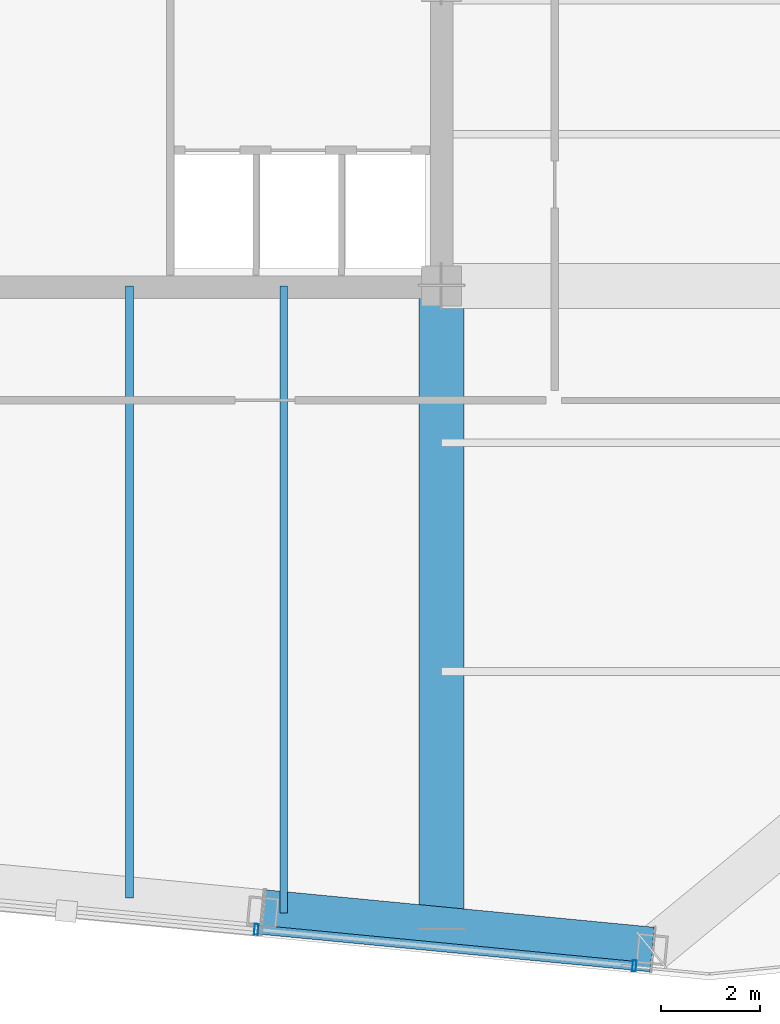
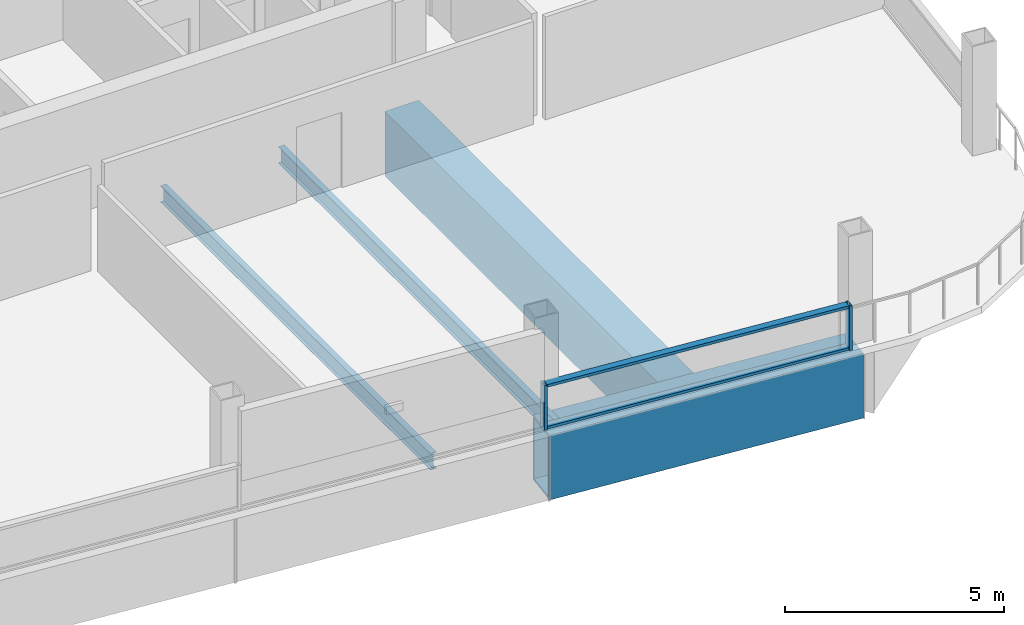
# One storey, part 4 of 21: 4 beams, 4 members, 1 element without a shape of its own.
"""IFC4 building model written with IfcOpenShell, lengths in metres."""

from ifc_helpers import new_model, si_unit, direction, frame, origin, origin_2d, place, context, subcontext, project, spatial, hollow_rectangle, i_section, extrude, material, layer, layer_set, material_profile, profile_set, type_object, element, aggregate, save


model = new_model("IFC4")

# Units and contexts
model_context = context("Model", 3, precision=1e-05, world=origin(), true_north=direction((0.0, 1.0)))
body_context = subcontext(model_context, "Body", "Model", "MODEL_VIEW")
ifc_project = project(units=[si_unit("LENGTHUNIT", "METRE"), si_unit("AREAUNIT", "SQUARE_METRE"), si_unit("VOLUMEUNIT", "CUBIC_METRE"), si_unit("PLANEANGLEUNIT", "RADIAN"), si_unit("MASSUNIT", "GRAM", prefix="KILO")], contexts=[model_context])

# Site, building, storey
site_placement = place(None, origin())
site = spatial("IfcSite", under=ifc_project, at=site_placement, CompositionType="ELEMENT")
building_placement = place(site_placement, origin())
building = spatial("IfcBuilding", under=site, at=building_placement, Name="Qhalaya Broadcast Tower", CompositionType="ELEMENT")
storey_placement = place(building_placement, frame((0.0, 0.0, 270.300048828125)))
storey = spatial("IfcBuildingStorey", under=building, at=storey_placement, Name="L80", CompositionType="ELEMENT", Elevation=270.300048828125)

# Beams
ifc_material_1 = material(Name="Structural Steel ASTM A572 Grade 50", Category="steel")
ifc_material_profile_1 = material_profile(ifc_material_1, hollow_rectangle(XDim=0.89990234375, YDim=1.800048828125, WallThickness=0.06005859375, at=origin_2d()), Name="BOX 900x1800x60")
ifc_profile_set_1 = profile_set([ifc_material_profile_1], Name="Structural Steel ASTM A572 Grade 50")
beam_type_1 = type_object("IfcBeamType", Name="Block Cantilever Transfer Box Girder TG1", PredefinedType="USERDEFINED", material=ifc_profile_set_1)
beam_1_placement = place(storey_placement, frame((5.77783203125, -21.33642578125, -1.090087890625), z_axis=(0.995397308407, -0.095834223619, 0.0), x_axis=(0.095834223619, 0.995397308407, 0.0)))
element("IfcBeam", 1, at=beam_1_placement, inside=storey, type_object=beam_type_1, Name="L80 TG1 L80-SPR-03", ObjectType="GIRDER", PredefinedType="USERDEFINED", context=body_context, shape_type="SweptSolid", body=[
    extrude(hollow_rectangle(XDim=0.89990234375, YDim=1.800048828125, WallThickness=0.06005859375, at=origin_2d()), origin(), (0.0, 0.0, 1.0), 7.86669921875),
])
beam_2_placement = place(storey_placement, frame((9.375, -21.66259765625, -1.090087890625), z_axis=(0.0, 1.0, 0.0), x_axis=(-1.0, 0.0, 0.0)))
element("IfcBeam", 2, at=beam_2_placement, inside=storey, type_object=beam_type_1, Name="L80 TG1 L80-PGXS2-1", ObjectType="GIRDER", PredefinedType="USERDEFINED", context=body_context, shape_type="SweptSolid", body=[
    extrude(hollow_rectangle(XDim=0.89990234375, YDim=1.800048828125, WallThickness=0.06005859375, at=origin_2d()), origin(), (0.0, 0.0, 1.0), 12.91259765625),
])
ifc_material_2 = material(Name="Structural Steel ASTM A992 Grade 50", Category="steel")
ifc_material_profile_2 = material_profile(ifc_material_2, i_section(OverallWidth=0.154052734375, OverallDepth=0.458984375, WebThickness=0.009033203125, FlangeThickness=0.015380859375, at=origin_2d()), Name="W18X46")
ifc_profile_set_2 = profile_set([ifc_material_profile_2], Name="Structural Steel ASTM A992 Grade 50")
beam_type_2 = type_object("IfcBeamType", Name="Composite Floor Joist J04", PredefinedType="JOIST", material=ifc_profile_set_2)
beam_3_placement = place(storey_placement, frame((3.10009765625, -21.058349609375, -0.41943359375), z_axis=(0.0, 1.0, 0.0), x_axis=(-1.0, 0.0, 0.0)))
element("IfcBeam", 3, at=beam_3_placement, inside=storey, type_object=beam_type_2, Name="L80 J04 L80-JNS4-1", PredefinedType="JOIST", context=body_context, shape_type="SweptSolid", body=[
    extrude(i_section(OverallWidth=0.154052734375, OverallDepth=0.458984375, WebThickness=0.009033203125, FlangeThickness=0.015380859375, at=origin_2d()), origin(), (0.0, 0.0, 1.0), 12.308349609375),
])
beam_4_placement = place(storey_placement, frame((6.199951171875, -21.35693359375, -0.41943359375), z_axis=(0.0, 1.0, 0.0), x_axis=(-1.0, 0.0, 0.0)))
element("IfcBeam", 4, at=beam_4_placement, inside=storey, type_object=beam_type_2, Name="L80 J04 L80-JNS5-1", PredefinedType="JOIST", context=body_context, shape_type="SweptSolid", body=[
    extrude(i_section(OverallWidth=0.154052734375, OverallDepth=0.458984375, WebThickness=0.009033203125, FlangeThickness=0.015380859375, at=origin_2d()), origin(), (0.0, 0.0, 1.0), 12.60693359375),
])

# Curtain wall, members
ifc_material_3 = material(Name="Fired Architectural Terracotta", Category="masonry")
ifc_layer = layer(ifc_material_3, 0.219970703125, Name="Fired Architectural Terracotta")
ifc_layer_set = layer_set([ifc_layer], Name="Fired Architectural Terracotta")
curtain_wall_type = type_object("IfcCurtainWallType", Name="Block-Cap Unitised Terracotta Spandrel Wall CW-07", PredefinedType="NOTDEFINED", material=ifc_layer_set)
curtain_wall_placement = place(storey_placement, origin())
curtain_wall = element("IfcCurtainWall", 5, at=curtain_wall_placement, inside=storey, type_object=curtain_wall_type, Name="L80 Unitised Curtain Wall L80-CW-S", PredefinedType="NOTDEFINED")
ifc_material_4 = material(Name="Anodised Aluminium 6063-T6", Category="aluminium")
ifc_material_profile_3 = material_profile(ifc_material_4, hollow_rectangle(XDim=0.074951171875, YDim=0.219970703125, WallThickness=0.00390625, at=origin_2d()), Name="ALU-MUL 75x220x4")
ifc_profile_set_3 = profile_set([ifc_material_profile_3], Name="Anodised Aluminium 6063-T6")
member_type_1 = type_object("IfcMemberType", Name="Unitised Curtain-Wall Mullion M01", PredefinedType="MULLION", material=ifc_profile_set_3)
member_1_placement = place(storey_placement, frame((13.249755859375, -22.417724609375, 0.0), z_axis=(0.0, 0.0, 1.0), x_axis=(-0.995396001153, 0.095847800651, 0.0)))
member_1 = element("IfcMember", 6, at=member_1_placement, type_object=member_type_1, Name="CW-07 mullion 1", PredefinedType="MULLION", context=body_context, shape_type="SweptSolid", body=[
    extrude(hollow_rectangle(XDim=0.074951171875, YDim=0.219970703125, WallThickness=0.00390625, at=origin_2d()), origin(), (0.0, 0.0, 1.0), 1.239990234375),
])
member_2_placement = place(storey_placement, frame((5.64794921875, -21.685546875, 0.0), z_axis=(0.0, 0.0, 1.0), x_axis=(-0.995396001153, 0.095847800651, 0.0)))
member_2 = element("IfcMember", 7, at=member_2_placement, type_object=member_type_1, Name="CW-07 mullion 2", PredefinedType="MULLION", context=body_context, shape_type="SweptSolid", body=[
    extrude(hollow_rectangle(XDim=0.074951171875, YDim=0.219970703125, WallThickness=0.00390625, at=origin_2d()), origin(), (0.0, 0.0, 1.0), 1.239990234375),
])
ifc_material_profile_4 = material_profile(ifc_material_4, hollow_rectangle(XDim=0.074951171875, YDim=0.179931640625, WallThickness=0.00390625, at=origin_2d()), Name="ALU-TRN 75x180x4")
ifc_profile_set_4 = profile_set([ifc_material_profile_4], Name="Anodised Aluminium 6063-T6")
member_type_2 = type_object("IfcMemberType", Name="Unitised Curtain-Wall Transom T01", PredefinedType="USERDEFINED", material=ifc_profile_set_4)
member_3_placement = place(storey_placement, frame((13.212646484375, -22.4140625, 0.037353515625), z_axis=(-0.995395532841, 0.095852664018, 0.0), x_axis=(0.0, 0.0, 1.0)))
member_3 = element("IfcMember", 8, at=member_3_placement, type_object=member_type_2, Name="CW-07 transom 1.1", ObjectType="TRANSOM", PredefinedType="USERDEFINED", context=body_context, shape_type="SweptSolid", body=[
    extrude(hollow_rectangle(XDim=0.074951171875, YDim=0.179931640625, WallThickness=0.00390625, at=origin_2d()), origin(), (0.0, 0.0, 1.0), 7.562255859375),
])
member_4_placement = place(storey_placement, frame((13.212646484375, -22.4140625, 1.202392578125), z_axis=(-0.995395532841, 0.095852664018, 0.0), x_axis=(0.0, 0.0, 1.0)))
member_4 = element("IfcMember", 9, at=member_4_placement, type_object=member_type_2, Name="CW-07 transom 1.2", ObjectType="TRANSOM", PredefinedType="USERDEFINED", context=body_context, shape_type="SweptSolid", body=[
    extrude(hollow_rectangle(XDim=0.074951171875, YDim=0.179931640625, WallThickness=0.00390625, at=origin_2d()), origin(), (0.0, 0.0, 1.0), 7.562255859375),
])
aggregate(curtain_wall, [member_1, member_2, member_3, member_4])

save(model, "model.ifc")
